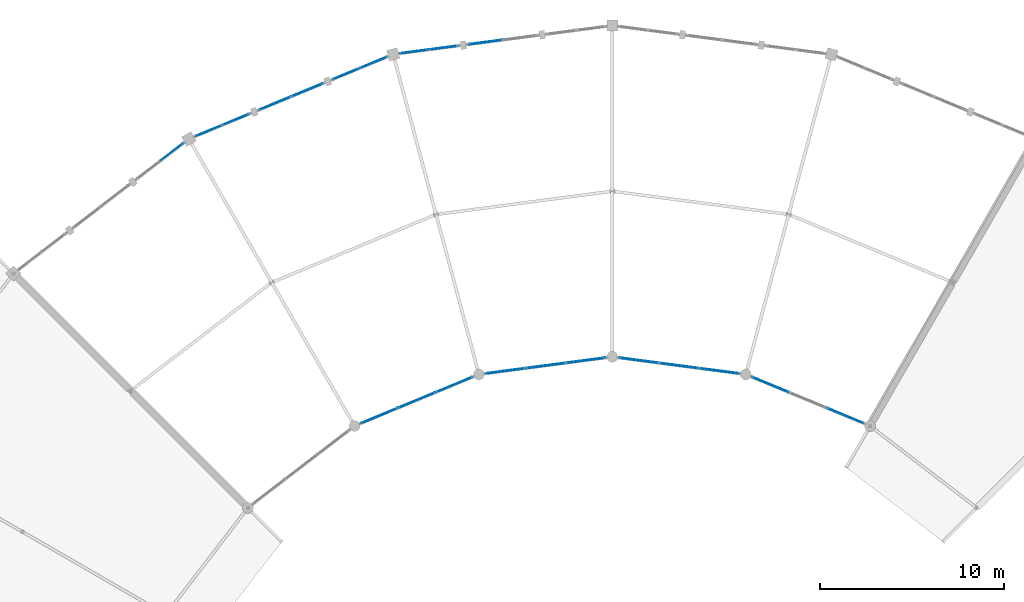
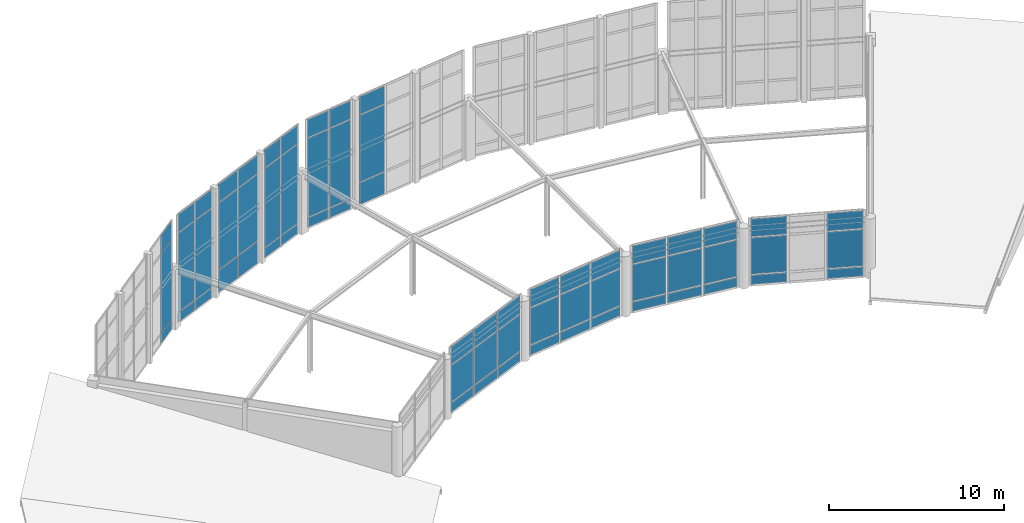
# One storey, part 70 of 93: 63 plates, 10 elements without a shape of their own.
"""IFC4 building model written with IfcOpenShell, lengths in metres."""

from ifc_helpers import new_model, si_unit, direction, frame, origin, origin_2d, place, context, subcontext, project, spatial, rectangle, extrude, material, layer, layer_set, type_object, element, aggregate, save


model = new_model("IFC4")

# Units and contexts
model_context = context("Model", 3, precision=1e-05, world=origin(), true_north=direction((0.0, 1.0)))
body_context = subcontext(model_context, "Body", "Model", "MODEL_VIEW")
ifc_project = project(units=[si_unit("LENGTHUNIT", "METRE"), si_unit("AREAUNIT", "SQUARE_METRE"), si_unit("VOLUMEUNIT", "CUBIC_METRE"), si_unit("PLANEANGLEUNIT", "RADIAN"), si_unit("MASSUNIT", "GRAM", prefix="KILO")], contexts=[model_context])

# Site, building, storey
site_placement = place(None, origin())
site = spatial("IfcSite", under=ifc_project, at=site_placement, CompositionType="ELEMENT")
building_placement = place(site_placement, origin())
building = spatial("IfcBuilding", under=site, at=building_placement, Name="Vondelvale Polytechnic", CompositionType="ELEMENT")
storey_placement = place(building_placement, frame((0.0, 0.0, 18.0)))
storey = spatial("IfcBuildingStorey", under=building, at=storey_placement, Name="L04", CompositionType="ELEMENT", Elevation=18.0)

# Curtain wall, plates
ifc_material_1 = material(Name="Anodised extruded aluminium 6063-T6", Category="aluminium")
curtain_wall_type_1 = type_object("IfcCurtainWallType", Name="CW-RING-CLOISTER", PredefinedType="NOTDEFINED", material=ifc_material_1)
curtain_wall_1_placement = place(storey_placement, origin())
curtain_wall_1 = element("IfcCurtainWall", 1, at=curtain_wall_1_placement, inside=storey, type_object=curtain_wall_type_1, Name="L04 architectural curtain wall CW-03-127", PredefinedType="NOTDEFINED")
ifc_material_2 = material(Name="Double-glazed low-E insulated architectural glass", Category="glass")
ifc_layer_1 = layer(ifc_material_2, 0.028076171875)
ifc_layer_set_1 = layer_set([ifc_layer_1], Name="CW-PANEL-GLAZED")
plate_type_1 = type_object("IfcPlateType", Name="CW-PANEL-GLAZED", PredefinedType="CURTAIN_PANEL", material=ifc_layer_set_1)
plate_1_placement = place(storey_placement, frame((114.655029296875, 96.805908203125, 0.78271484375), z_axis=(0.0, 0.0, 1.0), x_axis=(-0.923881562419, 0.382678531697, 0.0)))
plate_1 = element("IfcPlate", 2, at=plate_1_placement, type_object=plate_type_1, Name="CW-03-127 panel 1.2", PredefinedType="CURTAIN_PANEL", context=body_context, shape_type="SweptSolid", body=[
    extrude(rectangle(XDim=2.111572265625, YDim=0.028076171875, at=origin_2d()), origin(), (0.0, 0.0, 1.0), 2.548095703125),
])
plate_2_placement = place(storey_placement, frame((114.655029296875, 96.805908203125, 3.395751953125), z_axis=(0.0, 0.0, 1.0), x_axis=(-0.923881562419, 0.382678531697, 0.0)))
plate_2 = element("IfcPlate", 3, at=plate_2_placement, type_object=plate_type_1, Name="CW-03-127 panel 1.3", PredefinedType="CURTAIN_PANEL", context=body_context, shape_type="SweptSolid", body=[
    extrude(rectangle(XDim=2.111572265625, YDim=0.028076171875, at=origin_2d()), origin(), (0.0, 0.0, 1.0), 1.25244140625),
])
plate_3_placement = place(storey_placement, frame((110.591796875, 98.48876953125, 0.78271484375), z_axis=(0.0, 0.0, 1.0), x_axis=(-0.923881562419, 0.382678531697, 0.0)))
plate_3 = element("IfcPlate", 4, at=plate_3_placement, type_object=plate_type_1, Name="CW-03-127 panel 3.2", PredefinedType="CURTAIN_PANEL", context=body_context, shape_type="SweptSolid", body=[
    extrude(rectangle(XDim=2.111572265625, YDim=0.028076171875, at=origin_2d()), origin(), (0.0, 0.0, 1.0), 2.548095703125),
])
plate_4_placement = place(storey_placement, frame((110.591796875, 98.48876953125, 3.395751953125), z_axis=(0.0, 0.0, 1.0), x_axis=(-0.923881562419, 0.382678531697, 0.0)))
plate_4 = element("IfcPlate", 5, at=plate_4_placement, type_object=plate_type_1, Name="CW-03-127 panel 3.3", PredefinedType="CURTAIN_PANEL", context=body_context, shape_type="SweptSolid", body=[
    extrude(rectangle(XDim=2.111572265625, YDim=0.028076171875, at=origin_2d()), origin(), (0.0, 0.0, 1.0), 1.25244140625),
])

curtain_wall_2_placement = place(storey_placement, origin())
curtain_wall_2 = element("IfcCurtainWall", 6, at=curtain_wall_2_placement, inside=storey, type_object=curtain_wall_type_1, Name="L04 architectural curtain wall CW-03-147", PredefinedType="NOTDEFINED")
plate_5_placement = place(storey_placement, frame((107.804443359375, 99.23583984375, 0.78271484375), z_axis=(0.0, 0.0, 1.0), x_axis=(-0.99144462243, 0.130528007165, 0.0)))
plate_5 = element("IfcPlate", 7, at=plate_5_placement, type_object=plate_type_1, Name="CW-03-147 panel 1.2", PredefinedType="CURTAIN_PANEL", context=body_context, shape_type="SweptSolid", body=[
    extrude(rectangle(XDim=2.1123046875, YDim=0.028076171875, at=origin_2d()), origin(), (0.0, 0.0, 1.0), 2.548095703125),
])
plate_6_placement = place(storey_placement, frame((107.804443359375, 99.23583984375, 3.395751953125), z_axis=(0.0, 0.0, 1.0), x_axis=(-0.99144462243, 0.130528007165, 0.0)))
plate_6 = element("IfcPlate", 8, at=plate_6_placement, type_object=plate_type_1, Name="CW-03-147 panel 1.3", PredefinedType="CURTAIN_PANEL", context=body_context, shape_type="SweptSolid", body=[
    extrude(rectangle(XDim=2.1123046875, YDim=0.028076171875, at=origin_2d()), origin(), (0.0, 0.0, 1.0), 1.25244140625),
])
plate_7_placement = place(storey_placement, frame((105.62353515625, 99.52294921875, 0.78271484375), z_axis=(0.0, 0.0, 1.0), x_axis=(-0.99144462243, 0.130528007165, 0.0)))
plate_7 = element("IfcPlate", 9, at=plate_7_placement, type_object=plate_type_1, Name="CW-03-147 panel 2.2", PredefinedType="CURTAIN_PANEL", context=body_context, shape_type="SweptSolid", body=[
    extrude(rectangle(XDim=2.1474609375, YDim=0.028076171875, at=origin_2d()), origin(), (0.0, 0.0, 1.0), 2.548095703125),
])
plate_8_placement = place(storey_placement, frame((105.62353515625, 99.52294921875, 3.395751953125), z_axis=(0.0, 0.0, 1.0), x_axis=(-0.99144462243, 0.130528007165, 0.0)))
plate_8 = element("IfcPlate", 10, at=plate_8_placement, type_object=plate_type_1, Name="CW-03-147 panel 2.3", PredefinedType="CURTAIN_PANEL", context=body_context, shape_type="SweptSolid", body=[
    extrude(rectangle(XDim=2.1474609375, YDim=0.028076171875, at=origin_2d()), origin(), (0.0, 0.0, 1.0), 1.25244140625),
])
plate_9_placement = place(storey_placement, frame((103.4423828125, 99.81005859375, 0.78271484375), z_axis=(0.0, 0.0, 1.0), x_axis=(-0.99144462243, 0.130528007165, 0.0)))
plate_9 = element("IfcPlate", 11, at=plate_9_placement, type_object=plate_type_1, Name="CW-03-147 panel 3.2", PredefinedType="CURTAIN_PANEL", context=body_context, shape_type="SweptSolid", body=[
    extrude(rectangle(XDim=2.1123046875, YDim=0.028076171875, at=origin_2d()), origin(), (0.0, 0.0, 1.0), 2.548095703125),
])
plate_10_placement = place(storey_placement, frame((103.4423828125, 99.81005859375, 3.395751953125), z_axis=(0.0, 0.0, 1.0), x_axis=(-0.99144462243, 0.130528007165, 0.0)))
plate_10 = element("IfcPlate", 12, at=plate_10_placement, type_object=plate_type_1, Name="CW-03-147 panel 3.3", PredefinedType="CURTAIN_PANEL", context=body_context, shape_type="SweptSolid", body=[
    extrude(rectangle(XDim=2.1123046875, YDim=0.028076171875, at=origin_2d()), origin(), (0.0, 0.0, 1.0), 1.25244140625),
])

curtain_wall_3_placement = place(storey_placement, origin())
curtain_wall_3 = element("IfcCurtainWall", 13, at=curtain_wall_3_placement, inside=storey, type_object=curtain_wall_type_1, Name="L04 architectural curtain wall CW-03-167", PredefinedType="NOTDEFINED")
plate_11_placement = place(storey_placement, frame((100.5576171875, 99.81005859375, 0.78271484375), z_axis=(0.0, 0.0, 1.0), x_axis=(-0.99144462243, -0.130528007165, 0.0)))
plate_11 = element("IfcPlate", 14, at=plate_11_placement, type_object=plate_type_1, Name="CW-03-167 panel 1.2", PredefinedType="CURTAIN_PANEL", context=body_context, shape_type="SweptSolid", body=[
    extrude(rectangle(XDim=2.1123046875, YDim=0.028076171875, at=origin_2d()), origin(), (0.0, 0.0, 1.0), 2.548095703125),
])
plate_12_placement = place(storey_placement, frame((100.5576171875, 99.81005859375, 3.395751953125), z_axis=(0.0, 0.0, 1.0), x_axis=(-0.99144462243, -0.130528007165, 0.0)))
plate_12 = element("IfcPlate", 15, at=plate_12_placement, type_object=plate_type_1, Name="CW-03-167 panel 1.3", PredefinedType="CURTAIN_PANEL", context=body_context, shape_type="SweptSolid", body=[
    extrude(rectangle(XDim=2.1123046875, YDim=0.028076171875, at=origin_2d()), origin(), (0.0, 0.0, 1.0), 1.25244140625),
])
plate_13_placement = place(storey_placement, frame((98.37646484375, 99.52294921875, 0.78271484375), z_axis=(0.0, 0.0, 1.0), x_axis=(-0.99144462243, -0.130528007165, 0.0)))
plate_13 = element("IfcPlate", 16, at=plate_13_placement, type_object=plate_type_1, Name="CW-03-167 panel 2.2", PredefinedType="CURTAIN_PANEL", context=body_context, shape_type="SweptSolid", body=[
    extrude(rectangle(XDim=2.1474609375, YDim=0.028076171875, at=origin_2d()), origin(), (0.0, 0.0, 1.0), 2.548095703125),
])
plate_14_placement = place(storey_placement, frame((98.37646484375, 99.52294921875, 3.395751953125), z_axis=(0.0, 0.0, 1.0), x_axis=(-0.99144462243, -0.130528007165, 0.0)))
plate_14 = element("IfcPlate", 17, at=plate_14_placement, type_object=plate_type_1, Name="CW-03-167 panel 2.3", PredefinedType="CURTAIN_PANEL", context=body_context, shape_type="SweptSolid", body=[
    extrude(rectangle(XDim=2.1474609375, YDim=0.028076171875, at=origin_2d()), origin(), (0.0, 0.0, 1.0), 1.25244140625),
])
plate_15_placement = place(storey_placement, frame((96.195556640625, 99.23583984375, 0.78271484375), z_axis=(0.0, 0.0, 1.0), x_axis=(-0.99144462243, -0.130528007165, 0.0)))
plate_15 = element("IfcPlate", 18, at=plate_15_placement, type_object=plate_type_1, Name="CW-03-167 panel 3.2", PredefinedType="CURTAIN_PANEL", context=body_context, shape_type="SweptSolid", body=[
    extrude(rectangle(XDim=2.1123046875, YDim=0.028076171875, at=origin_2d()), origin(), (0.0, 0.0, 1.0), 2.548095703125),
])
plate_16_placement = place(storey_placement, frame((96.195556640625, 99.23583984375, 3.395751953125), z_axis=(0.0, 0.0, 1.0), x_axis=(-0.99144462243, -0.130528007165, 0.0)))
plate_16 = element("IfcPlate", 19, at=plate_16_placement, type_object=plate_type_1, Name="CW-03-167 panel 3.3", PredefinedType="CURTAIN_PANEL", context=body_context, shape_type="SweptSolid", body=[
    extrude(rectangle(XDim=2.1123046875, YDim=0.028076171875, at=origin_2d()), origin(), (0.0, 0.0, 1.0), 1.25244140625),
])

ifc_material_3 = material(Name="Glulam GL18 structural Tasmanian oak (fb = 42 MPa)", Category="wood")
curtain_wall_type_2 = type_object("IfcCurtainWallType", Name="CW-RING-OUTER", PredefinedType="NOTDEFINED", material=ifc_material_3)
curtain_wall_4_placement = place(storey_placement, origin())
curtain_wall_4 = element("IfcCurtainWall", 20, at=curtain_wall_4_placement, inside=storey, type_object=curtain_wall_type_2, Name="L04 architectural curtain wall CW-04-169", PredefinedType="NOTDEFINED")
plate_17_placement = place(storey_placement, frame((95.1181640625, 117.093994140625, 1.630126953125), z_axis=(0.0, 0.0, 1.0), x_axis=(-0.991448671082, -0.130497251349, 0.0)))
plate_17 = element("IfcPlate", 21, at=plate_17_placement, type_object=plate_type_1, Name="CW-04-169 panel 2.2", PredefinedType="CURTAIN_PANEL", context=body_context, shape_type="SweptSolid", body=[
    extrude(rectangle(XDim=1.80908203125, YDim=0.028076171875, at=origin_2d()), origin(), (0.0, 0.0, 1.0), 4.6513671875),
])
plate_18_placement = place(storey_placement, frame((95.1181640625, 117.093994140625, 6.34130859375), z_axis=(0.0, 0.0, 1.0), x_axis=(-0.991448671082, -0.130497251349, 0.0)))
plate_18 = element("IfcPlate", 22, at=plate_18_placement, type_object=plate_type_1, Name="CW-04-169 panel 2.3", PredefinedType="CURTAIN_PANEL", context=body_context, shape_type="SweptSolid", body=[
    extrude(rectangle(XDim=1.80908203125, YDim=0.028076171875, at=origin_2d()), origin(), (0.0, 0.0, 1.0), 1.260009765625),
])

curtain_wall_5_placement = place(storey_placement, origin())
curtain_wall_5 = element("IfcCurtainWall", 23, at=curtain_wall_5_placement, inside=storey, type_object=curtain_wall_type_2, Name="L04 architectural curtain wall CW-04-170", PredefinedType="NOTDEFINED")
plate_19_placement = place(storey_placement, frame((92.828369140625, 116.79248046875, 0.780029296875), z_axis=(0.0, 0.0, 1.0), x_axis=(-0.991443102996, -0.130539547729, 0.0)))
plate_19 = element("IfcPlate", 24, at=plate_19_placement, type_object=plate_type_1, Name="CW-04-170 panel 1.2", PredefinedType="CURTAIN_PANEL", context=body_context, shape_type="SweptSolid", body=[
    extrude(rectangle(XDim=1.530029296875, YDim=0.028076171875, at=origin_2d()), origin(), (0.0, 0.0, 1.0), 5.50146484375),
])
plate_20_placement = place(storey_placement, frame((92.828369140625, 116.79248046875, 6.34130859375), z_axis=(0.0, 0.0, 1.0), x_axis=(-0.991443102996, -0.130539547729, 0.0)))
plate_20 = element("IfcPlate", 25, at=plate_20_placement, type_object=plate_type_1, Name="CW-04-170 panel 1.3", PredefinedType="CURTAIN_PANEL", context=body_context, shape_type="SweptSolid", body=[
    extrude(rectangle(XDim=1.530029296875, YDim=0.028076171875, at=origin_2d()), origin(), (0.0, 0.0, 1.0), 1.260009765625),
])
plate_21_placement = place(storey_placement, frame((91.2470703125, 116.584228515625, 0.780029296875), z_axis=(0.0, 0.0, 1.0), x_axis=(-0.991443102996, -0.130539547729, 0.0)))
plate_21 = element("IfcPlate", 26, at=plate_21_placement, type_object=plate_type_1, Name="CW-04-170 panel 2.2", PredefinedType="CURTAIN_PANEL", context=body_context, shape_type="SweptSolid", body=[
    extrude(rectangle(XDim=1.530029296875, YDim=0.028076171875, at=origin_2d()), origin(), (0.0, 0.0, 1.0), 5.50146484375),
])
plate_22_placement = place(storey_placement, frame((91.2470703125, 116.584228515625, 6.34130859375), z_axis=(0.0, 0.0, 1.0), x_axis=(-0.991443102996, -0.130539547729, 0.0)))
plate_22 = element("IfcPlate", 27, at=plate_22_placement, type_object=plate_type_1, Name="CW-04-170 panel 2.3", PredefinedType="CURTAIN_PANEL", context=body_context, shape_type="SweptSolid", body=[
    extrude(rectangle(XDim=1.530029296875, YDim=0.028076171875, at=origin_2d()), origin(), (0.0, 0.0, 1.0), 1.260009765625),
])

curtain_wall_6_placement = place(storey_placement, origin())
curtain_wall_6 = element("IfcCurtainWall", 28, at=curtain_wall_6_placement, inside=storey, type_object=curtain_wall_type_1, Name="L04 architectural curtain wall CW-03-187", PredefinedType="NOTDEFINED")
plate_23_placement = place(storey_placement, frame((93.408203125, 98.48876953125, 0.78271484375), z_axis=(0.0, 0.0, 1.0), x_axis=(-0.923881562419, -0.382678531697, 0.0)))
plate_23 = element("IfcPlate", 29, at=plate_23_placement, type_object=plate_type_1, Name="CW-03-187 panel 1.2", PredefinedType="CURTAIN_PANEL", context=body_context, shape_type="SweptSolid", body=[
    extrude(rectangle(XDim=2.111572265625, YDim=0.028076171875, at=origin_2d()), origin(), (0.0, 0.0, 1.0), 2.548095703125),
])
plate_24_placement = place(storey_placement, frame((93.408203125, 98.48876953125, 3.395751953125), z_axis=(0.0, 0.0, 1.0), x_axis=(-0.923881562419, -0.382678531697, 0.0)))
plate_24 = element("IfcPlate", 30, at=plate_24_placement, type_object=plate_type_1, Name="CW-03-187 panel 1.3", PredefinedType="CURTAIN_PANEL", context=body_context, shape_type="SweptSolid", body=[
    extrude(rectangle(XDim=2.111572265625, YDim=0.028076171875, at=origin_2d()), origin(), (0.0, 0.0, 1.0), 1.25244140625),
])
plate_25_placement = place(storey_placement, frame((91.37646484375, 97.647216796875, 0.78271484375), z_axis=(0.0, 0.0, 1.0), x_axis=(-0.923881562419, -0.382678531697, 0.0)))
plate_25 = element("IfcPlate", 31, at=plate_25_placement, type_object=plate_type_1, Name="CW-03-187 panel 2.2", PredefinedType="CURTAIN_PANEL", context=body_context, shape_type="SweptSolid", body=[
    extrude(rectangle(XDim=2.146484375, YDim=0.028076171875, at=origin_2d()), origin(), (0.0, 0.0, 1.0), 2.548095703125),
])
plate_26_placement = place(storey_placement, frame((91.37646484375, 97.647216796875, 3.395751953125), z_axis=(0.0, 0.0, 1.0), x_axis=(-0.923881562419, -0.382678531697, 0.0)))
plate_26 = element("IfcPlate", 32, at=plate_26_placement, type_object=plate_type_1, Name="CW-03-187 panel 2.3", PredefinedType="CURTAIN_PANEL", context=body_context, shape_type="SweptSolid", body=[
    extrude(rectangle(XDim=2.146484375, YDim=0.028076171875, at=origin_2d()), origin(), (0.0, 0.0, 1.0), 1.25244140625),
])
plate_27_placement = place(storey_placement, frame((89.344970703125, 96.805908203125, 0.78271484375), z_axis=(0.0, 0.0, 1.0), x_axis=(-0.923881562419, -0.382678531697, 0.0)))
plate_27 = element("IfcPlate", 33, at=plate_27_placement, type_object=plate_type_1, Name="CW-03-187 panel 3.2", PredefinedType="CURTAIN_PANEL", context=body_context, shape_type="SweptSolid", body=[
    extrude(rectangle(XDim=2.111572265625, YDim=0.028076171875, at=origin_2d()), origin(), (0.0, 0.0, 1.0), 2.548095703125),
])
plate_28_placement = place(storey_placement, frame((89.344970703125, 96.805908203125, 3.395751953125), z_axis=(0.0, 0.0, 1.0), x_axis=(-0.923881562419, -0.382678531697, 0.0)))
plate_28 = element("IfcPlate", 34, at=plate_28_placement, type_object=plate_type_1, Name="CW-03-187 panel 3.3", PredefinedType="CURTAIN_PANEL", context=body_context, shape_type="SweptSolid", body=[
    extrude(rectangle(XDim=2.111572265625, YDim=0.028076171875, at=origin_2d()), origin(), (0.0, 0.0, 1.0), 1.25244140625),
])

curtain_wall_7_placement = place(storey_placement, origin())
curtain_wall_7 = element("IfcCurtainWall", 35, at=curtain_wall_7_placement, inside=storey, type_object=curtain_wall_type_2, Name="L04 architectural curtain wall CW-04-188", PredefinedType="NOTDEFINED")
plate_29_placement = place(storey_placement, frame((89.02001953125, 115.98779296875, 0.780029296875), z_axis=(0.0, 0.0, 1.0), x_axis=(-0.923882033442, -0.382677394529, 0.0)))
plate_29 = element("IfcPlate", 36, at=plate_29_placement, type_object=plate_type_1, Name="CW-04-188 panel 1.2", PredefinedType="CURTAIN_PANEL", context=body_context, shape_type="SweptSolid", body=[
    extrude(rectangle(XDim=1.530029296875, YDim=0.028076171875, at=origin_2d()), origin(), (0.0, 0.0, 1.0), 5.50146484375),
])
plate_30_placement = place(storey_placement, frame((89.02001953125, 115.98779296875, 6.34130859375), z_axis=(0.0, 0.0, 1.0), x_axis=(-0.923882033442, -0.382677394529, 0.0)))
plate_30 = element("IfcPlate", 37, at=plate_30_placement, type_object=plate_type_1, Name="CW-04-188 panel 1.3", PredefinedType="CURTAIN_PANEL", context=body_context, shape_type="SweptSolid", body=[
    extrude(rectangle(XDim=1.530029296875, YDim=0.028076171875, at=origin_2d()), origin(), (0.0, 0.0, 1.0), 1.260009765625),
])
plate_31_placement = place(storey_placement, frame((87.546630859375, 115.377197265625, 0.780029296875), z_axis=(0.0, 0.0, 1.0), x_axis=(-0.923882033442, -0.382677394529, 0.0)))
plate_31 = element("IfcPlate", 38, at=plate_31_placement, type_object=plate_type_1, Name="CW-04-188 panel 2.2", PredefinedType="CURTAIN_PANEL", context=body_context, shape_type="SweptSolid", body=[
    extrude(rectangle(XDim=1.530029296875, YDim=0.028076171875, at=origin_2d()), origin(), (0.0, 0.0, 1.0), 5.50146484375),
])
plate_32_placement = place(storey_placement, frame((87.546630859375, 115.377197265625, 6.34130859375), z_axis=(0.0, 0.0, 1.0), x_axis=(-0.923882033442, -0.382677394529, 0.0)))
plate_32 = element("IfcPlate", 39, at=plate_32_placement, type_object=plate_type_1, Name="CW-04-188 panel 2.3", PredefinedType="CURTAIN_PANEL", context=body_context, shape_type="SweptSolid", body=[
    extrude(rectangle(XDim=1.530029296875, YDim=0.028076171875, at=origin_2d()), origin(), (0.0, 0.0, 1.0), 1.260009765625),
])

curtain_wall_8_placement = place(storey_placement, origin())
curtain_wall_8 = element("IfcCurtainWall", 40, at=curtain_wall_8_placement, inside=storey, type_object=curtain_wall_type_2, Name="L04 architectural curtain wall CW-04-189", PredefinedType="NOTDEFINED")
plate_33_placement = place(storey_placement, frame((85.412841796875, 114.493408203125, 1.630126953125), z_axis=(0.0, 0.0, 1.0), x_axis=(-0.92387490701, -0.382694599123, 0.0)))
plate_33 = element("IfcPlate", 41, at=plate_33_placement, type_object=plate_type_1, Name="CW-04-189 panel 1.2", PredefinedType="CURTAIN_PANEL", context=body_context, shape_type="SweptSolid", body=[
    extrude(rectangle(XDim=1.80908203125, YDim=0.028076171875, at=origin_2d()), origin(), (0.0, 0.0, 1.0), 4.6513671875),
])
plate_34_placement = place(storey_placement, frame((85.412841796875, 114.493408203125, 6.34130859375), z_axis=(0.0, 0.0, 1.0), x_axis=(-0.92387490701, -0.382694599123, 0.0)))
plate_34 = element("IfcPlate", 42, at=plate_34_placement, type_object=plate_type_1, Name="CW-04-189 panel 1.3", PredefinedType="CURTAIN_PANEL", context=body_context, shape_type="SweptSolid", body=[
    extrude(rectangle(XDim=1.80908203125, YDim=0.028076171875, at=origin_2d()), origin(), (0.0, 0.0, 1.0), 1.260009765625),
])
plate_35_placement = place(storey_placement, frame((83.681396484375, 113.7763671875, 1.630126953125), z_axis=(0.0, 0.0, 1.0), x_axis=(-0.92387490701, -0.382694599123, 0.0)))
plate_35 = element("IfcPlate", 43, at=plate_35_placement, type_object=plate_type_1, Name="CW-04-189 panel 2.2", PredefinedType="CURTAIN_PANEL", context=body_context, shape_type="SweptSolid", body=[
    extrude(rectangle(XDim=1.80908203125, YDim=0.028076171875, at=origin_2d()), origin(), (0.0, 0.0, 1.0), 4.6513671875),
])
plate_36_placement = place(storey_placement, frame((83.681396484375, 113.7763671875, 6.34130859375), z_axis=(0.0, 0.0, 1.0), x_axis=(-0.92387490701, -0.382694599123, 0.0)))
plate_36 = element("IfcPlate", 44, at=plate_36_placement, type_object=plate_type_1, Name="CW-04-189 panel 2.3", PredefinedType="CURTAIN_PANEL", context=body_context, shape_type="SweptSolid", body=[
    extrude(rectangle(XDim=1.80908203125, YDim=0.028076171875, at=origin_2d()), origin(), (0.0, 0.0, 1.0), 1.260009765625),
])

curtain_wall_9_placement = place(storey_placement, origin())
curtain_wall_9 = element("IfcCurtainWall", 45, at=curtain_wall_9_placement, inside=storey, type_object=curtain_wall_type_2, Name="L04 architectural curtain wall CW-04-190", PredefinedType="NOTDEFINED")
plate_37_placement = place(storey_placement, frame((81.5478515625, 112.892578125, 0.780029296875), z_axis=(0.0, 0.0, 1.0), x_axis=(-0.923882033442, -0.382677394529, 0.0)))
plate_37 = element("IfcPlate", 46, at=plate_37_placement, type_object=plate_type_1, Name="CW-04-190 panel 1.2", PredefinedType="CURTAIN_PANEL", context=body_context, shape_type="SweptSolid", body=[
    extrude(rectangle(XDim=1.530029296875, YDim=0.028076171875, at=origin_2d()), origin(), (0.0, 0.0, 1.0), 5.50146484375),
])
plate_38_placement = place(storey_placement, frame((81.5478515625, 112.892578125, 6.34130859375), z_axis=(0.0, 0.0, 1.0), x_axis=(-0.923882033442, -0.382677394529, 0.0)))
plate_38 = element("IfcPlate", 47, at=plate_38_placement, type_object=plate_type_1, Name="CW-04-190 panel 1.3", PredefinedType="CURTAIN_PANEL", context=body_context, shape_type="SweptSolid", body=[
    extrude(rectangle(XDim=1.530029296875, YDim=0.028076171875, at=origin_2d()), origin(), (0.0, 0.0, 1.0), 1.260009765625),
])
plate_39_placement = place(storey_placement, frame((80.07421875, 112.2822265625, 0.780029296875), z_axis=(0.0, 0.0, 1.0), x_axis=(-0.923882033442, -0.382677394529, 0.0)))
plate_39 = element("IfcPlate", 48, at=plate_39_placement, type_object=plate_type_1, Name="CW-04-190 panel 2.2", PredefinedType="CURTAIN_PANEL", context=body_context, shape_type="SweptSolid", body=[
    extrude(rectangle(XDim=1.530029296875, YDim=0.028076171875, at=origin_2d()), origin(), (0.0, 0.0, 1.0), 5.50146484375),
])
plate_40_placement = place(storey_placement, frame((80.07421875, 112.2822265625, 6.34130859375), z_axis=(0.0, 0.0, 1.0), x_axis=(-0.923882033442, -0.382677394529, 0.0)))
plate_40 = element("IfcPlate", 49, at=plate_40_placement, type_object=plate_type_1, Name="CW-04-190 panel 2.3", PredefinedType="CURTAIN_PANEL", context=body_context, shape_type="SweptSolid", body=[
    extrude(rectangle(XDim=1.530029296875, YDim=0.028076171875, at=origin_2d()), origin(), (0.0, 0.0, 1.0), 1.260009765625),
])

curtain_wall_10_placement = place(storey_placement, origin())
curtain_wall_10 = element("IfcCurtainWall", 50, at=curtain_wall_10_placement, inside=storey, type_object=curtain_wall_type_2, Name="L04 architectural curtain wall CW-04-207", PredefinedType="NOTDEFINED")
plate_41_placement = place(storey_placement, frame((78.07763671875, 111.12939453125, 0.780029296875), z_axis=(0.0, 0.0, 1.0), x_axis=(-0.793333825656, -0.608786860133, 0.0)))
plate_41 = element("IfcPlate", 51, at=plate_41_placement, type_object=plate_type_1, Name="CW-04-207 panel 1.2", PredefinedType="CURTAIN_PANEL", context=body_context, shape_type="SweptSolid", body=[
    extrude(rectangle(XDim=1.530029296875, YDim=0.028076171875, at=origin_2d()), origin(), (0.0, 0.0, 1.0), 5.50146484375),
])
plate_42_placement = place(storey_placement, frame((78.07763671875, 111.12939453125, 6.34130859375), z_axis=(0.0, 0.0, 1.0), x_axis=(-0.793333825656, -0.608786860133, 0.0)))
plate_42 = element("IfcPlate", 52, at=plate_42_placement, type_object=plate_type_1, Name="CW-04-207 panel 1.3", PredefinedType="CURTAIN_PANEL", context=body_context, shape_type="SweptSolid", body=[
    extrude(rectangle(XDim=1.530029296875, YDim=0.028076171875, at=origin_2d()), origin(), (0.0, 0.0, 1.0), 1.260009765625),
])

# Plate
ifc_material_4 = material(Name="Engineered Tasmanian oak studio and bridge joinery")
ifc_layer_2 = layer(ifc_material_4, 0.0419921875)
ifc_layer_set_2 = layer_set([ifc_layer_2], Name="CW-PANEL-OAK")
plate_type_2 = type_object("IfcPlateType", Name="CW-PANEL-OAK", PredefinedType="CURTAIN_PANEL", material=ifc_layer_set_2)
plate_43_placement = place(storey_placement, frame((114.655029296875, 96.805908203125, 0.06494140625), z_axis=(0.0, 0.0, 1.0), x_axis=(-0.923881562419, 0.382678531697, 0.0)))
plate_43 = element("IfcPlate", 53, at=plate_43_placement, type_object=plate_type_2, Name="CW-03-127 panel 1.1", PredefinedType="CURTAIN_PANEL", context=body_context, shape_type="SweptSolid", body=[
    extrude(rectangle(XDim=2.111572265625, YDim=0.0419921875, at=origin_2d()), origin(), (0.0, 0.0, 1.0), 0.652587890625),
])

plate_44_placement = place(storey_placement, frame((110.591796875, 98.48876953125, 0.06494140625), z_axis=(0.0, 0.0, 1.0), x_axis=(-0.923881562419, 0.382678531697, 0.0)))
plate_44 = element("IfcPlate", 54, at=plate_44_placement, type_object=plate_type_2, Name="CW-03-127 panel 3.1", PredefinedType="CURTAIN_PANEL", context=body_context, shape_type="SweptSolid", body=[
    extrude(rectangle(XDim=2.111572265625, YDim=0.0419921875, at=origin_2d()), origin(), (0.0, 0.0, 1.0), 0.652587890625),
])

aggregate(curtain_wall_1, [plate_43, plate_1, plate_2, plate_44, plate_3, plate_4])

plate_45_placement = place(storey_placement, frame((107.804443359375, 99.23583984375, 0.06494140625), z_axis=(0.0, 0.0, 1.0), x_axis=(-0.99144462243, 0.130528007165, 0.0)))
plate_45 = element("IfcPlate", 55, at=plate_45_placement, type_object=plate_type_2, Name="CW-03-147 panel 1.1", PredefinedType="CURTAIN_PANEL", context=body_context, shape_type="SweptSolid", body=[
    extrude(rectangle(XDim=2.1123046875, YDim=0.0419921875, at=origin_2d()), origin(), (0.0, 0.0, 1.0), 0.652587890625),
])

plate_46_placement = place(storey_placement, frame((105.62353515625, 99.52294921875, 0.06494140625), z_axis=(0.0, 0.0, 1.0), x_axis=(-0.99144462243, 0.130528007165, 0.0)))
plate_46 = element("IfcPlate", 56, at=plate_46_placement, type_object=plate_type_2, Name="CW-03-147 panel 2.1", PredefinedType="CURTAIN_PANEL", context=body_context, shape_type="SweptSolid", body=[
    extrude(rectangle(XDim=2.1474609375, YDim=0.0419921875, at=origin_2d()), origin(), (0.0, 0.0, 1.0), 0.652587890625),
])

plate_47_placement = place(storey_placement, frame((103.4423828125, 99.81005859375, 0.06494140625), z_axis=(0.0, 0.0, 1.0), x_axis=(-0.99144462243, 0.130528007165, 0.0)))
plate_47 = element("IfcPlate", 57, at=plate_47_placement, type_object=plate_type_2, Name="CW-03-147 panel 3.1", PredefinedType="CURTAIN_PANEL", context=body_context, shape_type="SweptSolid", body=[
    extrude(rectangle(XDim=2.1123046875, YDim=0.0419921875, at=origin_2d()), origin(), (0.0, 0.0, 1.0), 0.652587890625),
])

aggregate(curtain_wall_2, [plate_45, plate_5, plate_6, plate_46, plate_7, plate_8, plate_47, plate_9, plate_10])

plate_48_placement = place(storey_placement, frame((100.5576171875, 99.81005859375, 0.06494140625), z_axis=(0.0, 0.0, 1.0), x_axis=(-0.99144462243, -0.130528007165, 0.0)))
plate_48 = element("IfcPlate", 58, at=plate_48_placement, type_object=plate_type_2, Name="CW-03-167 panel 1.1", PredefinedType="CURTAIN_PANEL", context=body_context, shape_type="SweptSolid", body=[
    extrude(rectangle(XDim=2.1123046875, YDim=0.0419921875, at=origin_2d()), origin(), (0.0, 0.0, 1.0), 0.652587890625),
])

plate_49_placement = place(storey_placement, frame((98.37646484375, 99.52294921875, 0.06494140625), z_axis=(0.0, 0.0, 1.0), x_axis=(-0.99144462243, -0.130528007165, 0.0)))
plate_49 = element("IfcPlate", 59, at=plate_49_placement, type_object=plate_type_2, Name="CW-03-167 panel 2.1", PredefinedType="CURTAIN_PANEL", context=body_context, shape_type="SweptSolid", body=[
    extrude(rectangle(XDim=2.1474609375, YDim=0.0419921875, at=origin_2d()), origin(), (0.0, 0.0, 1.0), 0.652587890625),
])

plate_50_placement = place(storey_placement, frame((96.195556640625, 99.23583984375, 0.06494140625), z_axis=(0.0, 0.0, 1.0), x_axis=(-0.99144462243, -0.130528007165, 0.0)))
plate_50 = element("IfcPlate", 60, at=plate_50_placement, type_object=plate_type_2, Name="CW-03-167 panel 3.1", PredefinedType="CURTAIN_PANEL", context=body_context, shape_type="SweptSolid", body=[
    extrude(rectangle(XDim=2.1123046875, YDim=0.0419921875, at=origin_2d()), origin(), (0.0, 0.0, 1.0), 0.652587890625),
])

aggregate(curtain_wall_3, [plate_48, plate_11, plate_12, plate_49, plate_13, plate_14, plate_50, plate_15, plate_16])

plate_51_placement = place(storey_placement, frame((95.1181640625, 117.093994140625, 0.06005859375), z_axis=(0.0, 0.0, 1.0), x_axis=(-0.991448671082, -0.130497251349, 0.0)))
plate_51 = element("IfcPlate", 61, at=plate_51_placement, type_object=plate_type_2, Name="CW-04-169 panel 2.1", PredefinedType="CURTAIN_PANEL", context=body_context, shape_type="SweptSolid", body=[
    extrude(rectangle(XDim=1.80908203125, YDim=0.0419921875, at=origin_2d()), origin(), (0.0, 0.0, 1.0), 1.510009765625),
])

aggregate(curtain_wall_4, [plate_51, plate_17, plate_18])

plate_52_placement = place(storey_placement, frame((93.408203125, 98.48876953125, 0.06494140625), z_axis=(0.0, 0.0, 1.0), x_axis=(-0.923881562419, -0.382678531697, 0.0)))
plate_52 = element("IfcPlate", 62, at=plate_52_placement, type_object=plate_type_2, Name="CW-03-187 panel 1.1", PredefinedType="CURTAIN_PANEL", context=body_context, shape_type="SweptSolid", body=[
    extrude(rectangle(XDim=2.111572265625, YDim=0.0419921875, at=origin_2d()), origin(), (0.0, 0.0, 1.0), 0.652587890625),
])

plate_53_placement = place(storey_placement, frame((91.37646484375, 97.647216796875, 0.06494140625), z_axis=(0.0, 0.0, 1.0), x_axis=(-0.923881562419, -0.382678531697, 0.0)))
plate_53 = element("IfcPlate", 63, at=plate_53_placement, type_object=plate_type_2, Name="CW-03-187 panel 2.1", PredefinedType="CURTAIN_PANEL", context=body_context, shape_type="SweptSolid", body=[
    extrude(rectangle(XDim=2.146484375, YDim=0.0419921875, at=origin_2d()), origin(), (0.0, 0.0, 1.0), 0.652587890625),
])

plate_54_placement = place(storey_placement, frame((89.344970703125, 96.805908203125, 0.06494140625), z_axis=(0.0, 0.0, 1.0), x_axis=(-0.923881562419, -0.382678531697, 0.0)))
plate_54 = element("IfcPlate", 64, at=plate_54_placement, type_object=plate_type_2, Name="CW-03-187 panel 3.1", PredefinedType="CURTAIN_PANEL", context=body_context, shape_type="SweptSolid", body=[
    extrude(rectangle(XDim=2.111572265625, YDim=0.0419921875, at=origin_2d()), origin(), (0.0, 0.0, 1.0), 0.652587890625),
])

aggregate(curtain_wall_6, [plate_52, plate_23, plate_24, plate_53, plate_25, plate_26, plate_54, plate_27, plate_28])

plate_55_placement = place(storey_placement, frame((85.412841796875, 114.493408203125, 0.06005859375), z_axis=(0.0, 0.0, 1.0), x_axis=(-0.92387490701, -0.382694599123, 0.0)))
plate_55 = element("IfcPlate", 65, at=plate_55_placement, type_object=plate_type_2, Name="CW-04-189 panel 1.1", PredefinedType="CURTAIN_PANEL", context=body_context, shape_type="SweptSolid", body=[
    extrude(rectangle(XDim=1.80908203125, YDim=0.0419921875, at=origin_2d()), origin(), (0.0, 0.0, 1.0), 1.510009765625),
])

plate_56_placement = place(storey_placement, frame((83.681396484375, 113.7763671875, 0.06005859375), z_axis=(0.0, 0.0, 1.0), x_axis=(-0.92387490701, -0.382694599123, 0.0)))
plate_56 = element("IfcPlate", 66, at=plate_56_placement, type_object=plate_type_2, Name="CW-04-189 panel 2.1", PredefinedType="CURTAIN_PANEL", context=body_context, shape_type="SweptSolid", body=[
    extrude(rectangle(XDim=1.80908203125, YDim=0.0419921875, at=origin_2d()), origin(), (0.0, 0.0, 1.0), 1.510009765625),
])

aggregate(curtain_wall_8, [plate_55, plate_33, plate_34, plate_56, plate_35, plate_36])

ifc_material_5 = material(Name="Kiln-fired architectural terracotta", Category="masonry")
ifc_layer_3 = layer(ifc_material_5, 0.035888671875)
ifc_layer_set_3 = layer_set([ifc_layer_3], Name="CW-PANEL-SPANDREL")
plate_type_3 = type_object("IfcPlateType", Name="CW-PANEL-SPANDREL", PredefinedType="CURTAIN_PANEL", material=ifc_layer_set_3)
plate_57_placement = place(storey_placement, frame((92.828369140625, 116.79248046875, 0.06005859375), z_axis=(0.0, 0.0, 1.0), x_axis=(-0.991443102996, -0.130539547729, 0.0)))
plate_57 = element("IfcPlate", 67, at=plate_57_placement, type_object=plate_type_3, Name="CW-04-170 panel 1.1", PredefinedType="CURTAIN_PANEL", context=body_context, shape_type="SweptSolid", body=[
    extrude(rectangle(XDim=1.530029296875, YDim=0.035888671875, at=origin_2d()), origin(), (0.0, 0.0, 1.0), 0.659912109375),
])

plate_58_placement = place(storey_placement, frame((91.2470703125, 116.584228515625, 0.06005859375), z_axis=(0.0, 0.0, 1.0), x_axis=(-0.991443102996, -0.130539547729, 0.0)))
plate_58 = element("IfcPlate", 68, at=plate_58_placement, type_object=plate_type_3, Name="CW-04-170 panel 2.1", PredefinedType="CURTAIN_PANEL", context=body_context, shape_type="SweptSolid", body=[
    extrude(rectangle(XDim=1.530029296875, YDim=0.035888671875, at=origin_2d()), origin(), (0.0, 0.0, 1.0), 0.659912109375),
])

aggregate(curtain_wall_5, [plate_57, plate_19, plate_20, plate_58, plate_21, plate_22])

plate_59_placement = place(storey_placement, frame((89.02001953125, 115.98779296875, 0.06005859375), z_axis=(0.0, 0.0, 1.0), x_axis=(-0.923882033442, -0.382677394529, 0.0)))
plate_59 = element("IfcPlate", 69, at=plate_59_placement, type_object=plate_type_3, Name="CW-04-188 panel 1.1", PredefinedType="CURTAIN_PANEL", context=body_context, shape_type="SweptSolid", body=[
    extrude(rectangle(XDim=1.530029296875, YDim=0.035888671875, at=origin_2d()), origin(), (0.0, 0.0, 1.0), 0.659912109375),
])

plate_60_placement = place(storey_placement, frame((87.546630859375, 115.377197265625, 0.06005859375), z_axis=(0.0, 0.0, 1.0), x_axis=(-0.923882033442, -0.382677394529, 0.0)))
plate_60 = element("IfcPlate", 70, at=plate_60_placement, type_object=plate_type_3, Name="CW-04-188 panel 2.1", PredefinedType="CURTAIN_PANEL", context=body_context, shape_type="SweptSolid", body=[
    extrude(rectangle(XDim=1.530029296875, YDim=0.035888671875, at=origin_2d()), origin(), (0.0, 0.0, 1.0), 0.659912109375),
])

aggregate(curtain_wall_7, [plate_59, plate_29, plate_30, plate_60, plate_31, plate_32])

plate_61_placement = place(storey_placement, frame((81.5478515625, 112.892578125, 0.06005859375), z_axis=(0.0, 0.0, 1.0), x_axis=(-0.923882033442, -0.382677394529, 0.0)))
plate_61 = element("IfcPlate", 71, at=plate_61_placement, type_object=plate_type_3, Name="CW-04-190 panel 1.1", PredefinedType="CURTAIN_PANEL", context=body_context, shape_type="SweptSolid", body=[
    extrude(rectangle(XDim=1.530029296875, YDim=0.035888671875, at=origin_2d()), origin(), (0.0, 0.0, 1.0), 0.659912109375),
])

plate_62_placement = place(storey_placement, frame((80.07421875, 112.2822265625, 0.06005859375), z_axis=(0.0, 0.0, 1.0), x_axis=(-0.923882033442, -0.382677394529, 0.0)))
plate_62 = element("IfcPlate", 72, at=plate_62_placement, type_object=plate_type_3, Name="CW-04-190 panel 2.1", PredefinedType="CURTAIN_PANEL", context=body_context, shape_type="SweptSolid", body=[
    extrude(rectangle(XDim=1.530029296875, YDim=0.035888671875, at=origin_2d()), origin(), (0.0, 0.0, 1.0), 0.659912109375),
])

aggregate(curtain_wall_9, [plate_61, plate_37, plate_38, plate_62, plate_39, plate_40])

plate_63_placement = place(storey_placement, frame((78.07763671875, 111.12939453125, 0.06005859375), z_axis=(0.0, 0.0, 1.0), x_axis=(-0.793333825656, -0.608786860133, 0.0)))
plate_63 = element("IfcPlate", 73, at=plate_63_placement, type_object=plate_type_3, Name="CW-04-207 panel 1.1", PredefinedType="CURTAIN_PANEL", context=body_context, shape_type="SweptSolid", body=[
    extrude(rectangle(XDim=1.530029296875, YDim=0.035888671875, at=origin_2d()), origin(), (0.0, 0.0, 1.0), 0.659912109375),
])

aggregate(curtain_wall_10, [plate_63, plate_41, plate_42])

save(model, "model.ifc")
